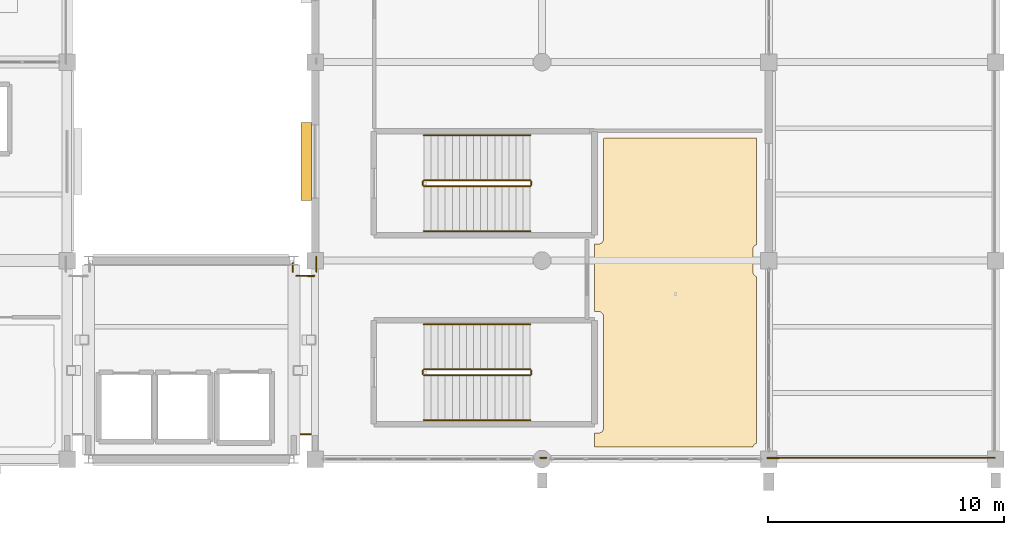
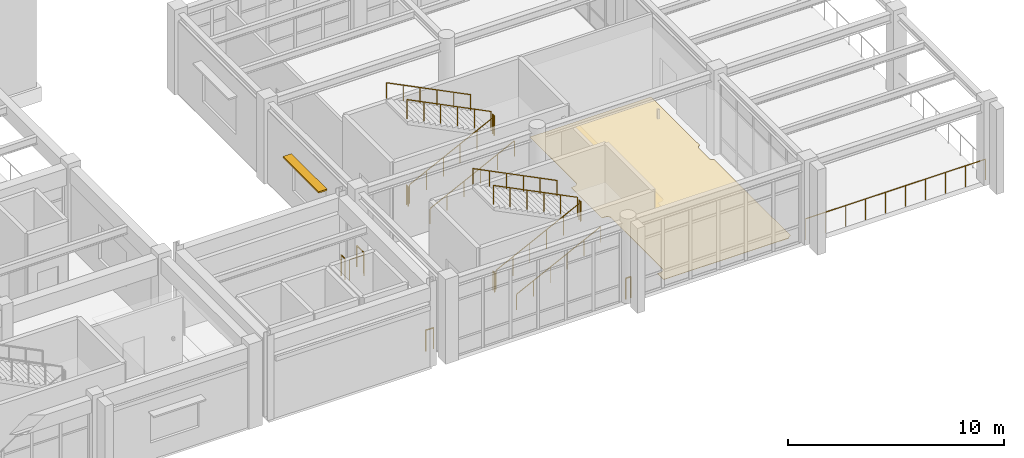
# One storey, part 96 of 98: 18 railings, 1 covering, 1 shading device.
"""IFC4 building model written with IfcOpenShell, lengths in metres."""

from ifc_helpers import new_model, si_unit, direction, frame, origin, origin_2d, place, context, subcontext, project, spatial, polyline, rectangle, circle, outline, extrude, material, layer, layer_set, type_object, element, save


model = new_model("IFC4")

# Units and contexts
model_context = context("Model", 3, precision=1e-05, world=origin(), true_north=direction((0.0, 1.0)))
body_context = subcontext(model_context, "Body", "Model", "MODEL_VIEW")
ifc_project = project(units=[si_unit("LENGTHUNIT", "METRE"), si_unit("AREAUNIT", "SQUARE_METRE"), si_unit("VOLUMEUNIT", "CUBIC_METRE"), si_unit("PLANEANGLEUNIT", "RADIAN"), si_unit("MASSUNIT", "GRAM", prefix="KILO")], contexts=[model_context])

# Site, building, storey
site_placement = place(None, origin())
site = spatial("IfcSite", under=ifc_project, at=site_placement, CompositionType="ELEMENT")
building_placement = place(site_placement, origin())
building = spatial("IfcBuilding", under=site, at=building_placement, Name="Canglan Escarpment Cableway Terminal", CompositionType="ELEMENT")
storey_placement = place(building_placement, frame((0.0, 0.0, 9.60009765625)))
storey = spatial("IfcBuildingStorey", under=building, at=storey_placement, Name="L02", CompositionType="ELEMENT", Elevation=9.60009765625)

# Covering
ifc_material_1 = material(Name="Polished mineral terrazzo flooring", Category="concrete")
ifc_layer_1 = layer(ifc_material_1, 0.02001953125, Name="Polished mineral terrazzo flooring")
ifc_layer_set_1 = layer_set([ifc_layer_1], Name="Polished mineral terrazzo flooring")
covering_type = type_object("IfcCoveringType", Name="COV-FLR-TERRAZZO-20", PredefinedType="FLOORING", material=ifc_layer_set_1)
covering_placement = place(storey_placement, origin())
element("IfcCovering", 1, at=covering_placement, inside=storey, type_object=covering_type, Name="Artisan Pastry Kitchen stone floor finish", PredefinedType="FLOORING", context=body_context, shape_type="SweptSolid", body=[
    extrude(outline(polyline([(165.73291015625, 8.533203125), (165.732177734375, 8.531494140625), (165.731201171875, 8.529541015625), (165.72998046875, 8.52783203125), (165.728515625, 8.5263671875), (165.72705078125, 8.52490234375), (165.7255859375, 8.523681640625), (165.723876953125, 8.522705078125), (165.721923828125, 8.521728515625), (165.719970703125, 8.52099609375), (165.718017578125, 8.5205078125), (165.716064453125, 8.52001953125), (165.714111328125, 8.52001953125), (159.0400390625, 8.52001953125), (159.0380859375, 8.52001953125), (159.0361328125, 8.5205078125), (159.0341796875, 8.52099609375), (159.0322265625, 8.521484375), (159.030517578125, 8.5224609375), (159.02880859375, 8.5234375), (159.02734375, 8.5244140625), (159.02587890625, 8.52587890625), (159.0244140625, 8.52734375), (159.0234375, 8.52880859375), (159.0224609375, 8.530517578125), (159.021484375, 8.5322265625), (159.02099609375, 8.5341796875), (159.0205078125, 8.5361328125), (159.02001953125, 8.5380859375), (159.02001953125, 8.5400390625), (159.02001953125, 9.080078125), (159.02001953125, 9.08203125), (159.0205078125, 9.083984375), (159.02099609375, 9.085693359375), (159.021484375, 9.087646484375), (159.0224609375, 9.08935546875), (159.0234375, 9.091064453125), (159.0244140625, 9.0927734375), (159.02587890625, 9.093994140625), (159.02734375, 9.095458984375), (159.02880859375, 9.0966796875), (159.030517578125, 9.09765625), (159.0322265625, 9.098388671875), (159.0341796875, 9.09912109375), (159.0361328125, 9.099609375), (159.0380859375, 9.099853515625), (159.0400390625, 9.10009765625), (159.1796875, 9.10009765625), (159.18017578125, 9.10009765625), (159.201171875, 9.10107421875), (159.201904296875, 9.10107421875), (159.222412109375, 9.104248046875), (159.223388671875, 9.104248046875), (159.243408203125, 9.109375), (159.244384765625, 9.109619140625), (159.263671875, 9.11669921875), (159.2646484375, 9.116943359375), (159.283203125, 9.125732421875), (159.2841796875, 9.126220703125), (159.3017578125, 9.13671875), (159.302490234375, 9.137451171875), (159.319091796875, 9.149658203125), (159.31982421875, 9.150390625), (159.335205078125, 9.1640625), (159.3359375, 9.164794921875), (159.349609375, 9.18017578125), (159.350341796875, 9.180908203125), (159.362548828125, 9.197509765625), (159.36328125, 9.1982421875), (159.373779296875, 9.2158203125), (159.374267578125, 9.216796875), (159.383056640625, 9.2353515625), (159.38330078125, 9.236328125), (159.390380859375, 9.255615234375), (159.390625, 9.256591796875), (159.395751953125, 9.276611328125), (159.395751953125, 9.277587890625), (159.39892578125, 9.298095703125), (159.39892578125, 9.298828125), (159.39990234375, 9.31982421875), (159.39990234375, 9.3203125), (159.39990234375, 14.02978515625), (159.39990234375, 14.0302734375), (159.39892578125, 14.051025390625), (159.39892578125, 14.052001953125), (159.395751953125, 14.072509765625), (159.395751953125, 14.073486328125), (159.390625, 14.093505859375), (159.390380859375, 14.09423828125), (159.38330078125, 14.11376953125), (159.383056640625, 14.114501953125), (159.374267578125, 14.13330078125), (159.373779296875, 14.134033203125), (159.36328125, 14.15185546875), (159.362548828125, 14.152587890625), (159.350341796875, 14.169189453125), (159.349609375, 14.169921875), (159.3359375, 14.185302734375), (159.335205078125, 14.185791015625), (159.31982421875, 14.19970703125), (159.319091796875, 14.200439453125), (159.302490234375, 14.212646484375), (159.3017578125, 14.213134765625), (159.2841796875, 14.223876953125), (159.283203125, 14.22412109375), (159.2646484375, 14.23291015625), (159.263671875, 14.2333984375), (159.244384765625, 14.240478515625), (159.243408203125, 14.240478515625), (159.223388671875, 14.24560546875), (159.222412109375, 14.245849609375), (159.201904296875, 14.248779296875), (159.201171875, 14.2490234375), (159.18017578125, 14.25), (159.1796875, 14.25), (159.0400390625, 14.25), (159.0380859375, 14.25), (159.0361328125, 14.25048828125), (159.0341796875, 14.2509765625), (159.0322265625, 14.25146484375), (159.030517578125, 14.25244140625), (159.02880859375, 14.25341796875), (159.02734375, 14.25439453125), (159.02587890625, 14.255859375), (159.0244140625, 14.25732421875), (159.0234375, 14.2587890625), (159.0224609375, 14.260498046875), (159.021484375, 14.26220703125), (159.02099609375, 14.26416015625), (159.0205078125, 14.26611328125), (159.02001953125, 14.26806640625), (159.02001953125, 14.27001953125), (159.02001953125, 17.080078125), (159.02001953125, 17.08203125), (159.0205078125, 17.083984375), (159.02099609375, 17.085693359375), (159.021484375, 17.087646484375), (159.0224609375, 17.08935546875), (159.0234375, 17.091064453125), (159.0244140625, 17.0927734375), (159.02587890625, 17.093994140625), (159.02734375, 17.095458984375), (159.02880859375, 17.0966796875), (159.030517578125, 17.09765625), (159.0322265625, 17.098388671875), (159.0341796875, 17.09912109375), (159.0361328125, 17.099609375), (159.0380859375, 17.099853515625), (159.0400390625, 17.10009765625), (159.1796875, 17.10009765625), (159.18017578125, 17.10009765625), (159.201171875, 17.10107421875), (159.201904296875, 17.10107421875), (159.222412109375, 17.104248046875), (159.223388671875, 17.104248046875), (159.243408203125, 17.109375), (159.244384765625, 17.109619140625), (159.263671875, 17.11669921875), (159.2646484375, 17.116943359375), (159.283203125, 17.125732421875), (159.2841796875, 17.126220703125), (159.3017578125, 17.13671875), (159.302490234375, 17.137451171875), (159.319091796875, 17.149658203125), (159.31982421875, 17.150390625), (159.335205078125, 17.1640625), (159.3359375, 17.164794921875), (159.349609375, 17.18017578125), (159.350341796875, 17.180908203125), (159.362548828125, 17.197509765625), (159.36328125, 17.1982421875), (159.373779296875, 17.2158203125), (159.374267578125, 17.216796875), (159.383056640625, 17.2353515625), (159.38330078125, 17.236328125), (159.390380859375, 17.255615234375), (159.390625, 17.256591796875), (159.395751953125, 17.276611328125), (159.395751953125, 17.277587890625), (159.39892578125, 17.298095703125), (159.39892578125, 17.298828125), (159.39990234375, 17.31982421875), (159.39990234375, 17.3203125), (159.39990234375, 21.56005859375), (159.400146484375, 21.56201171875), (159.400390625, 21.56396484375), (159.40087890625, 21.56591796875), (159.401611328125, 21.567626953125), (159.40234375, 21.5693359375), (159.4033203125, 21.571044921875), (159.404541015625, 21.57275390625), (159.406005859375, 21.57421875), (159.4072265625, 21.575439453125), (159.408935546875, 21.57666015625), (159.41064453125, 21.57763671875), (159.412353515625, 21.57861328125), (159.414306640625, 21.5791015625), (159.416015625, 21.57958984375), (159.41796875, 21.579833984375), (159.419921875, 21.580078125), (165.860107421875, 21.580078125), (165.862060546875, 21.579833984375), (165.864013671875, 21.57958984375), (165.86572265625, 21.5791015625), (165.86767578125, 21.57861328125), (165.869384765625, 21.57763671875), (165.87109375, 21.57666015625), (165.872802734375, 21.575439453125), (165.8740234375, 21.57421875), (165.87548828125, 21.57275390625), (165.876708984375, 21.571044921875), (165.877685546875, 21.5693359375), (165.87841796875, 21.567626953125), (165.879150390625, 21.56591796875), (165.879638671875, 21.56396484375), (165.8798828125, 21.56201171875), (165.8798828125, 21.56005859375), (165.8798828125, 17.0859375), (165.8798828125, 17.083984375), (165.879638671875, 17.082275390625), (165.879150390625, 17.080322265625), (165.878662109375, 17.07861328125), (165.877685546875, 17.076904296875), (165.876953125, 17.0751953125), (165.875732421875, 17.07373046875), (165.87451171875, 17.072265625), (165.873291015625, 17.071044921875), (165.87158203125, 17.06982421875), (165.8701171875, 17.06884765625), (165.868408203125, 17.06787109375), (165.86669921875, 17.067138671875), (165.856201171875, 17.0634765625), (165.85546875, 17.06298828125), (165.836669921875, 17.05419921875), (165.8359375, 17.0537109375), (165.818115234375, 17.043212890625), (165.8173828125, 17.04248046875), (165.80078125, 17.030517578125), (165.800048828125, 17.02978515625), (165.784912109375, 17.015869140625), (165.7841796875, 17.01513671875), (165.770263671875, 17.0), (165.76953125, 16.999267578125), (165.75732421875, 16.982666015625), (165.7568359375, 16.981689453125), (165.74609375, 16.964111328125), (165.745849609375, 16.96337890625), (165.737060546875, 16.944580078125), (165.736572265625, 16.943603515625), (165.7294921875, 16.92431640625), (165.7294921875, 16.92333984375), (165.724365234375, 16.9033203125), (165.72412109375, 16.90234375), (165.72119140625, 16.882080078125), (165.720947265625, 16.881103515625), (165.719970703125, 16.860107421875), (165.719970703125, 16.85986328125), (165.719970703125, 15.940185546875), (165.719970703125, 15.939697265625), (165.720947265625, 15.9189453125), (165.72119140625, 15.91796875), (165.72412109375, 15.897705078125), (165.724365234375, 15.896484375), (165.7294921875, 15.876708984375), (165.7294921875, 15.875732421875), (165.736572265625, 15.856201171875), (165.737060546875, 15.85546875), (165.745849609375, 15.836669921875), (165.74609375, 15.8359375), (165.7568359375, 15.818115234375), (165.75732421875, 15.8173828125), (165.76953125, 15.80078125), (165.770263671875, 15.800048828125), (165.7841796875, 15.784912109375), (165.784912109375, 15.7841796875), (165.800048828125, 15.770263671875), (165.80078125, 15.76953125), (165.8173828125, 15.75732421875), (165.818115234375, 15.7568359375), (165.8359375, 15.74609375), (165.836669921875, 15.745849609375), (165.85546875, 15.737060546875), (165.856201171875, 15.736572265625), (165.86669921875, 15.73291015625), (165.868408203125, 15.732177734375), (165.8701171875, 15.731201171875), (165.87158203125, 15.730224609375), (165.873291015625, 15.72900390625), (165.87451171875, 15.727783203125), (165.875732421875, 15.726318359375), (165.876953125, 15.724609375), (165.877685546875, 15.72314453125), (165.878662109375, 15.721435546875), (165.879150390625, 15.719482421875), (165.879638671875, 15.7177734375), (165.8798828125, 15.7158203125), (165.8798828125, 15.714111328125), (165.8798828125, 8.68603515625), (165.8798828125, 8.68408203125), (165.879638671875, 8.68212890625), (165.879150390625, 8.680419921875), (165.878662109375, 8.6787109375), (165.877685546875, 8.677001953125), (165.876953125, 8.67529296875), (165.875732421875, 8.673583984375), (165.87451171875, 8.67236328125), (165.873291015625, 8.6708984375), (165.87158203125, 8.669921875), (165.8701171875, 8.668701171875), (165.868408203125, 8.66796875), (165.86669921875, 8.667236328125), (165.856201171875, 8.663330078125), (165.85546875, 8.6630859375), (165.836669921875, 8.654296875), (165.8359375, 8.65380859375), (165.818115234375, 8.643310546875), (165.8173828125, 8.642578125), (165.80078125, 8.63037109375), (165.800048828125, 8.629638671875), (165.784912109375, 8.615966796875), (165.7841796875, 8.615234375), (165.770263671875, 8.599853515625), (165.76953125, 8.59912109375), (165.75732421875, 8.58251953125), (165.7568359375, 8.581787109375), (165.74609375, 8.564208984375), (165.745849609375, 8.563232421875), (165.737060546875, 8.544677734375), (165.736572265625, 8.543701171875), (165.73291015625, 8.533203125)])), origin(), (0.0, 0.0, 1.0), 0.02001953125),
])

# Railings
ifc_material_2 = material(Name="Carved limestone and anodized bronze balustrade", Category="masonry")
railing_type_1 = type_object("IfcRailingType", Name="RL-EXT-BALUSTRADE-1200", PredefinedType="BALUSTRADE", material=ifc_material_2)
railing_1_placement = place(storey_placement, frame((146.25, 16.2861328125, 0.0)))
element("IfcRailing", 2, at=railing_1_placement, inside=storey, type_object=railing_type_1, Name="Classical terrace balustrade guard GD-01 (L02)", PredefinedType="BALUSTRADE", context=body_context, shape_type="SweptSolid", body=[
    extrude(circle(Radius=0.02392578125, at=origin_2d()), frame((0.0, 0.0, 1.17578125), z_axis=(0.0, -1.0, 0.0), x_axis=(1.0, 0.0, 0.0)), (0.0, 0.0, 1.0), 0.356201171875),
    extrude(circle(Radius=0.02099609375, at=origin_2d()), origin(), (0.0, 0.0, 1.0), 1.15185546875),
    extrude(circle(Radius=0.02099609375, at=origin_2d()), frame((0.0, -0.356201171875, 0.0)), (0.0, 0.0, 1.0), 1.15185546875),
])
railing_2_placement = place(storey_placement, frame((146.3994140625, 15.756103515625, 0.0)))
element("IfcRailing", 3, at=railing_2_placement, inside=storey, type_object=railing_type_1, Name="Classical terrace balustrade guard GD-01 (L02)", PredefinedType="BALUSTRADE", context=body_context, shape_type="SweptSolid", body=[
    extrude(circle(Radius=0.02392578125, at=origin_2d()), frame((0.0, 0.0, 1.17578125), z_axis=(0.999968627033, -0.007921171, 0.0), x_axis=(0.007921171, 0.999968627033, 0.0)), (0.0, 0.0, 1.0), 0.7705078125),
    extrude(circle(Radius=0.02099609375, at=origin_2d()), origin(), (0.0, 0.0, 1.0), 1.15185546875),
    extrude(circle(Radius=0.02099609375, at=origin_2d()), frame((0.7705078125, -0.006103515625, 0.0)), (0.0, 0.0, 1.0), 1.15185546875),
])
railing_3_placement = place(storey_placement, frame((147.25, 15.929931640625, 0.0)))
element("IfcRailing", 4, at=railing_3_placement, inside=storey, type_object=railing_type_1, Name="Classical terrace balustrade guard GD-01 (L02)", PredefinedType="BALUSTRADE", context=body_context, shape_type="SweptSolid", body=[
    extrude(circle(Radius=0.02392578125, at=origin_2d()), frame((0.0, 0.0, 1.17578125), z_axis=(0.0, 1.0, 0.0), x_axis=(-1.0, 0.0, 0.0)), (0.0, 0.0, 1.0), 0.630126953125),
    extrude(circle(Radius=0.02099609375, at=origin_2d()), origin(), (0.0, 0.0, 1.0), 1.15185546875),
    extrude(circle(Radius=0.02099609375, at=origin_2d()), frame((0.0, 0.630126953125, 0.0)), (0.0, 0.0, 1.0), 1.15185546875),
])
railing_4_placement = place(storey_placement, frame((175.949951171875, 8.052001953125, 0.0)))
element("IfcRailing", 5, at=railing_4_placement, inside=storey, type_object=railing_type_1, Name="Classical terrace balustrade guard GD-01 (L02)", PredefinedType="BALUSTRADE", context=body_context, shape_type="SweptSolid", body=[
    extrude(circle(Radius=0.02392578125, at=origin_2d()), frame((0.0, 0.0, 1.17578125), z_axis=(-0.999999979346, -0.000203241701, 0.0), x_axis=(0.000203241701, -0.999999979346, 0.0)), (0.0, 0.0, 1.0), 9.60986328125),
    extrude(circle(Radius=0.02099609375, at=origin_2d()), origin(), (0.0, 0.0, 1.0), 1.15185546875),
    extrude(circle(Radius=0.02099609375, at=origin_2d()), frame((-1.06787109375, -0.000244140625, 0.0)), (0.0, 0.0, 1.0), 1.15185546875),
    extrude(circle(Radius=0.02099609375, at=origin_2d()), frame((-2.135498046875, -0.00048828125, 0.0)), (0.0, 0.0, 1.0), 1.15185546875),
    extrude(circle(Radius=0.02099609375, at=origin_2d()), frame((-3.203369140625, -0.000732421875, 0.0)), (0.0, 0.0, 1.0), 1.15185546875),
    extrude(circle(Radius=0.02099609375, at=origin_2d()), frame((-4.27099609375, -0.0009765625, 0.0)), (0.0, 0.0, 1.0), 1.15185546875),
    extrude(circle(Radius=0.02099609375, at=origin_2d()), frame((-5.3388671875, -0.0009765625, 0.0)), (0.0, 0.0, 1.0), 1.15185546875),
    extrude(circle(Radius=0.02099609375, at=origin_2d()), frame((-6.406494140625, -0.001220703125, 0.0)), (0.0, 0.0, 1.0), 1.15185546875),
    extrude(circle(Radius=0.02099609375, at=origin_2d()), frame((-7.474365234375, -0.00146484375, 0.0)), (0.0, 0.0, 1.0), 1.15185546875),
    extrude(circle(Radius=0.02099609375, at=origin_2d()), frame((-8.5419921875, -0.001708984375, 0.0)), (0.0, 0.0, 1.0), 1.15185546875),
    extrude(circle(Radius=0.02099609375, at=origin_2d()), frame((-9.60986328125, -0.001953125, 0.0)), (0.0, 0.0, 1.0), 1.15185546875),
])
railing_5_placement = place(storey_placement, frame((156.985107421875, 8.050048828125, 0.0)))
element("IfcRailing", 6, at=railing_5_placement, inside=storey, type_object=railing_type_1, Name="Classical terrace balustrade guard GD-01 (L02)", PredefinedType="BALUSTRADE", context=body_context, shape_type="SweptSolid", body=[
    extrude(circle(Radius=0.02392578125, at=origin_2d()), frame((0.0, 0.0, 1.17578125), z_axis=(-1.0, 0.0, 0.0), x_axis=(0.0, -1.0, 0.0)), (0.0, 0.0, 1.0), 0.27001953125),
    extrude(circle(Radius=0.02099609375, at=origin_2d()), origin(), (0.0, 0.0, 1.0), 1.15185546875),
    extrude(circle(Radius=0.02099609375, at=origin_2d()), frame((-0.27001953125, 0.0, 0.0)), (0.0, 0.0, 1.0), 1.15185546875),
])
railing_6_placement = place(storey_placement, frame((147.010009765625, 9.050048828125, 0.0)))
element("IfcRailing", 7, at=railing_6_placement, inside=storey, type_object=railing_type_1, Name="Classical terrace balustrade guard GD-01 (L02)", PredefinedType="BALUSTRADE", context=body_context, shape_type="SweptSolid", body=[
    extrude(circle(Radius=0.02392578125, at=origin_2d()), frame((0.0, 0.0, 1.17578125), z_axis=(-1.0, 0.0, 0.0), x_axis=(0.0, -1.0, 0.0)), (0.0, 0.0, 1.0), 0.419921875),
    extrude(circle(Radius=0.02099609375, at=origin_2d()), origin(), (0.0, 0.0, 1.0), 1.15185546875),
    extrude(circle(Radius=0.02099609375, at=origin_2d()), frame((-0.419921875, 0.0, 0.0)), (0.0, 0.0, 1.0), 1.15185546875),
])
ifc_material_3 = material(Name="Powder-coated steel stair balustrade", Category="steel")
railing_type_2 = type_object("IfcRailingType", Name="RL-STR-GUARD-1100", PredefinedType="BALUSTRADE", material=ifc_material_3)
railing_7_placement = place(storey_placement, frame((151.800048828125, 11.550048828125, 0.14990234375)))
element("IfcRailing", 8, at=railing_7_placement, inside=storey, type_object=railing_type_2, Name="L02 ST-08 stair guard 1", PredefinedType="BALUSTRADE", context=body_context, shape_type="SweptSolid", body=[
    extrude(circle(Radius=0.02392578125, at=origin_2d()), frame((0.0, 0.0, 1.076171875), z_axis=(0.894427191, 0.0, 0.4472135955), x_axis=(0.0, 1.0, 0.0)), (0.0, 0.0, 1.0), 5.03125),
    extrude(circle(Radius=0.02099609375, at=origin_2d()), origin(), (0.0, 0.0, 1.0), 1.052001953125),
    extrude(circle(Radius=0.02099609375, at=origin_2d()), frame((0.89990234375, 0.0, 0.449951171875)), (0.0, 0.0, 1.0), 1.052001953125),
    extrude(circle(Radius=0.02099609375, at=origin_2d()), frame((1.800048828125, 0.0, 0.89990234375)), (0.0, 0.0, 1.0), 1.052001953125),
    extrude(circle(Radius=0.02099609375, at=origin_2d()), frame((2.699951171875, 0.0, 1.35009765625)), (0.0, 0.0, 1.0), 1.052001953125),
    extrude(circle(Radius=0.02099609375, at=origin_2d()), frame((3.60009765625, 0.0, 1.800048828125)), (0.0, 0.0, 1.0), 1.052001953125),
    extrude(circle(Radius=0.02099609375, at=origin_2d()), frame((4.5, 0.0, 2.25)), (0.0, 0.0, 1.0), 1.052001953125),
])
railing_8_placement = place(storey_placement, frame((156.35009765625, 11.60009765625, 2.39990234375)))
element("IfcRailing", 9, at=railing_8_placement, inside=storey, type_object=railing_type_2, Name="L02 ST-08 stair guard 2", PredefinedType="BALUSTRADE", context=body_context, shape_type="SweptSolid", body=[
    extrude(circle(Radius=0.02392578125, at=origin_2d()), frame((0.0, 0.0, 1.076171875), z_axis=(0.0, 1.0, 0.0), x_axis=(-1.0, 0.0, 0.0)), (0.0, 0.0, 1.0), 0.14990234375),
    extrude(circle(Radius=0.02099609375, at=origin_2d()), origin(), (0.0, 0.0, 1.0), 1.052001953125),
    extrude(circle(Radius=0.02099609375, at=origin_2d()), frame((0.0, 0.14990234375, 0.0)), (0.0, 0.0, 1.0), 1.052001953125),
])
railing_9_placement = place(storey_placement, frame((156.300048828125, 11.800048828125, 2.5498046875)))
element("IfcRailing", 10, at=railing_9_placement, inside=storey, type_object=railing_type_2, Name="L02 ST-08 stair guard 3", PredefinedType="BALUSTRADE", context=body_context, shape_type="SweptSolid", body=[
    extrude(circle(Radius=0.02392578125, at=origin_2d()), frame((0.0, 0.0, 1.076171875), z_axis=(-0.894427191, 0.0, 0.4472135955), x_axis=(0.0, -1.0, 0.0)), (0.0, 0.0, 1.0), 5.03125),
    extrude(circle(Radius=0.02099609375, at=origin_2d()), origin(), (0.0, 0.0, 1.0), 1.052001953125),
    extrude(circle(Radius=0.02099609375, at=origin_2d()), frame((-0.89990234375, 0.0, 0.449951171875)), (0.0, 0.0, 1.0), 1.052001953125),
    extrude(circle(Radius=0.02099609375, at=origin_2d()), frame((-1.800048828125, 0.0, 0.89990234375)), (0.0, 0.0, 1.0), 1.052001953125),
    extrude(circle(Radius=0.02099609375, at=origin_2d()), frame((-2.699951171875, 0.0, 1.35009765625)), (0.0, 0.0, 1.0), 1.052001953125),
    extrude(circle(Radius=0.02099609375, at=origin_2d()), frame((-3.60009765625, 0.0, 1.800048828125)), (0.0, 0.0, 1.0), 1.052001953125),
    extrude(circle(Radius=0.02099609375, at=origin_2d()), frame((-4.5, 0.0, 2.25)), (0.0, 0.0, 1.0), 1.052001953125),
])
railing_10_placement = place(storey_placement, frame((151.75, 11.60009765625, 0.0)))
element("IfcRailing", 11, at=railing_10_placement, inside=storey, type_object=railing_type_2, Name="L02 ST-08 stair guard 4", PredefinedType="BALUSTRADE", context=body_context, shape_type="SweptSolid", body=[
    extrude(circle(Radius=0.02392578125, at=origin_2d()), frame((0.0, 0.0, 1.076171875), z_axis=(0.0, 1.0, 0.0), x_axis=(-1.0, 0.0, 0.0)), (0.0, 0.0, 1.0), 0.14990234375),
    extrude(circle(Radius=0.02099609375, at=origin_2d()), origin(), (0.0, 0.0, 1.0), 1.052001953125),
    extrude(circle(Radius=0.02099609375, at=origin_2d()), frame((0.0, 0.14990234375, 0.0)), (0.0, 0.0, 1.0), 1.052001953125),
])
railing_11_placement = place(storey_placement, frame((151.800048828125, 19.550048828125, 0.14990234375)))
element("IfcRailing", 12, at=railing_11_placement, inside=storey, type_object=railing_type_2, Name="L02 ST-09 stair guard 1", PredefinedType="BALUSTRADE", context=body_context, shape_type="SweptSolid", body=[
    extrude(circle(Radius=0.02392578125, at=origin_2d()), frame((0.0, 0.0, 1.076171875), z_axis=(0.894427191, 0.0, 0.4472135955), x_axis=(0.0, 1.0, 0.0)), (0.0, 0.0, 1.0), 5.03125),
    extrude(circle(Radius=0.02099609375, at=origin_2d()), origin(), (0.0, 0.0, 1.0), 1.052001953125),
    extrude(circle(Radius=0.02099609375, at=origin_2d()), frame((0.89990234375, 0.0, 0.449951171875)), (0.0, 0.0, 1.0), 1.052001953125),
    extrude(circle(Radius=0.02099609375, at=origin_2d()), frame((1.800048828125, 0.0, 0.89990234375)), (0.0, 0.0, 1.0), 1.052001953125),
    extrude(circle(Radius=0.02099609375, at=origin_2d()), frame((2.699951171875, 0.0, 1.35009765625)), (0.0, 0.0, 1.0), 1.052001953125),
    extrude(circle(Radius=0.02099609375, at=origin_2d()), frame((3.60009765625, 0.0, 1.800048828125)), (0.0, 0.0, 1.0), 1.052001953125),
    extrude(circle(Radius=0.02099609375, at=origin_2d()), frame((4.5, 0.0, 2.25)), (0.0, 0.0, 1.0), 1.052001953125),
])
railing_12_placement = place(storey_placement, frame((156.35009765625, 19.60009765625, 2.39990234375)))
element("IfcRailing", 13, at=railing_12_placement, inside=storey, type_object=railing_type_2, Name="L02 ST-09 stair guard 2", PredefinedType="BALUSTRADE", context=body_context, shape_type="SweptSolid", body=[
    extrude(circle(Radius=0.02392578125, at=origin_2d()), frame((0.0, 0.0, 1.076171875), z_axis=(0.0, 1.0, 0.0), x_axis=(-1.0, 0.0, 0.0)), (0.0, 0.0, 1.0), 0.14990234375),
    extrude(circle(Radius=0.02099609375, at=origin_2d()), origin(), (0.0, 0.0, 1.0), 1.052001953125),
    extrude(circle(Radius=0.02099609375, at=origin_2d()), frame((0.0, 0.14990234375, 0.0)), (0.0, 0.0, 1.0), 1.052001953125),
])
railing_13_placement = place(storey_placement, frame((156.300048828125, 19.800048828125, 2.5498046875)))
element("IfcRailing", 14, at=railing_13_placement, inside=storey, type_object=railing_type_2, Name="L02 ST-09 stair guard 3", PredefinedType="BALUSTRADE", context=body_context, shape_type="SweptSolid", body=[
    extrude(circle(Radius=0.02392578125, at=origin_2d()), frame((0.0, 0.0, 1.076171875), z_axis=(-0.894427191, 0.0, 0.4472135955), x_axis=(0.0, -1.0, 0.0)), (0.0, 0.0, 1.0), 5.03125),
    extrude(circle(Radius=0.02099609375, at=origin_2d()), origin(), (0.0, 0.0, 1.0), 1.052001953125),
    extrude(circle(Radius=0.02099609375, at=origin_2d()), frame((-0.89990234375, 0.0, 0.449951171875)), (0.0, 0.0, 1.0), 1.052001953125),
    extrude(circle(Radius=0.02099609375, at=origin_2d()), frame((-1.800048828125, 0.0, 0.89990234375)), (0.0, 0.0, 1.0), 1.052001953125),
    extrude(circle(Radius=0.02099609375, at=origin_2d()), frame((-2.699951171875, 0.0, 1.35009765625)), (0.0, 0.0, 1.0), 1.052001953125),
    extrude(circle(Radius=0.02099609375, at=origin_2d()), frame((-3.60009765625, 0.0, 1.800048828125)), (0.0, 0.0, 1.0), 1.052001953125),
    extrude(circle(Radius=0.02099609375, at=origin_2d()), frame((-4.5, 0.0, 2.25)), (0.0, 0.0, 1.0), 1.052001953125),
])
railing_14_placement = place(storey_placement, frame((151.75, 19.60009765625, 0.0)))
element("IfcRailing", 15, at=railing_14_placement, inside=storey, type_object=railing_type_2, Name="L02 ST-09 stair guard 4", PredefinedType="BALUSTRADE", context=body_context, shape_type="SweptSolid", body=[
    extrude(circle(Radius=0.02392578125, at=origin_2d()), frame((0.0, 0.0, 1.076171875), z_axis=(0.0, 1.0, 0.0), x_axis=(-1.0, 0.0, 0.0)), (0.0, 0.0, 1.0), 0.14990234375),
    extrude(circle(Radius=0.02099609375, at=origin_2d()), origin(), (0.0, 0.0, 1.0), 1.052001953125),
    extrude(circle(Radius=0.02099609375, at=origin_2d()), frame((0.0, 0.14990234375, 0.0)), (0.0, 0.0, 1.0), 1.052001953125),
])
ifc_material_4 = material(Name="Brushed stainless steel 304 handrail", Category="steel")
railing_type_3 = type_object("IfcRailingType", Name="RL-STR-HR-900", PredefinedType="HANDRAIL", material=ifc_material_4)
railing_15_placement = place(storey_placement, frame((151.800048828125, 9.64990234375, 0.14990234375)))
element("IfcRailing", 16, at=railing_15_placement, inside=storey, type_object=railing_type_3, Name="L02 ST-08 stair handrail 1", PredefinedType="HANDRAIL", context=body_context, shape_type="SweptSolid", body=[
    extrude(circle(Radius=0.02392578125, at=origin_2d()), frame((0.0, 0.0, 0.8759765625), z_axis=(0.894427191, 0.0, 0.4472135955), x_axis=(0.0, 1.0, 0.0)), (0.0, 0.0, 1.0), 5.03125),
    extrude(circle(Radius=0.02099609375, at=origin_2d()), origin(), (0.0, 0.0, 1.0), 0.851806640625),
    extrude(circle(Radius=0.02099609375, at=origin_2d()), frame((0.89990234375, 0.0, 0.449951171875)), (0.0, 0.0, 1.0), 0.851806640625),
    extrude(circle(Radius=0.02099609375, at=origin_2d()), frame((1.800048828125, 0.0, 0.89990234375)), (0.0, 0.0, 1.0), 0.851806640625),
    extrude(circle(Radius=0.02099609375, at=origin_2d()), frame((2.699951171875, 0.0, 1.35009765625)), (0.0, 0.0, 1.0), 0.851806640625),
    extrude(circle(Radius=0.02099609375, at=origin_2d()), frame((3.60009765625, 0.0, 1.800048828125)), (0.0, 0.0, 1.0), 0.851806640625),
    extrude(circle(Radius=0.02099609375, at=origin_2d()), frame((4.5, 0.0, 2.25)), (0.0, 0.0, 1.0), 0.851806640625),
])
railing_16_placement = place(storey_placement, frame((156.300048828125, 13.699951171875, 2.5498046875)))
element("IfcRailing", 17, at=railing_16_placement, inside=storey, type_object=railing_type_3, Name="L02 ST-08 stair handrail 2", PredefinedType="HANDRAIL", context=body_context, shape_type="SweptSolid", body=[
    extrude(circle(Radius=0.02392578125, at=origin_2d()), frame((0.0, 0.0, 0.8759765625), z_axis=(-0.894427191, 0.0, 0.4472135955), x_axis=(0.0, -1.0, 0.0)), (0.0, 0.0, 1.0), 5.03125),
    extrude(circle(Radius=0.02099609375, at=origin_2d()), origin(), (0.0, 0.0, 1.0), 0.851806640625),
    extrude(circle(Radius=0.02099609375, at=origin_2d()), frame((-0.89990234375, 0.0, 0.449951171875)), (0.0, 0.0, 1.0), 0.851806640625),
    extrude(circle(Radius=0.02099609375, at=origin_2d()), frame((-1.800048828125, 0.0, 0.89990234375)), (0.0, 0.0, 1.0), 0.851806640625),
    extrude(circle(Radius=0.02099609375, at=origin_2d()), frame((-2.699951171875, 0.0, 1.35009765625)), (0.0, 0.0, 1.0), 0.851806640625),
    extrude(circle(Radius=0.02099609375, at=origin_2d()), frame((-3.60009765625, 0.0, 1.800048828125)), (0.0, 0.0, 1.0), 0.851806640625),
    extrude(circle(Radius=0.02099609375, at=origin_2d()), frame((-4.5, 0.0, 2.25)), (0.0, 0.0, 1.0), 0.851806640625),
])
railing_17_placement = place(storey_placement, frame((151.800048828125, 17.64990234375, 0.14990234375)))
element("IfcRailing", 18, at=railing_17_placement, inside=storey, type_object=railing_type_3, Name="L02 ST-09 stair handrail 1", PredefinedType="HANDRAIL", context=body_context, shape_type="SweptSolid", body=[
    extrude(circle(Radius=0.02392578125, at=origin_2d()), frame((0.0, 0.0, 0.8759765625), z_axis=(0.894427191, 0.0, 0.4472135955), x_axis=(0.0, 1.0, 0.0)), (0.0, 0.0, 1.0), 5.03125),
    extrude(circle(Radius=0.02099609375, at=origin_2d()), origin(), (0.0, 0.0, 1.0), 0.851806640625),
    extrude(circle(Radius=0.02099609375, at=origin_2d()), frame((0.89990234375, 0.0, 0.449951171875)), (0.0, 0.0, 1.0), 0.851806640625),
    extrude(circle(Radius=0.02099609375, at=origin_2d()), frame((1.800048828125, 0.0, 0.89990234375)), (0.0, 0.0, 1.0), 0.851806640625),
    extrude(circle(Radius=0.02099609375, at=origin_2d()), frame((2.699951171875, 0.0, 1.35009765625)), (0.0, 0.0, 1.0), 0.851806640625),
    extrude(circle(Radius=0.02099609375, at=origin_2d()), frame((3.60009765625, 0.0, 1.800048828125)), (0.0, 0.0, 1.0), 0.851806640625),
    extrude(circle(Radius=0.02099609375, at=origin_2d()), frame((4.5, 0.0, 2.25)), (0.0, 0.0, 1.0), 0.851806640625),
])
railing_18_placement = place(storey_placement, frame((156.300048828125, 21.699951171875, 2.5498046875)))
element("IfcRailing", 19, at=railing_18_placement, inside=storey, type_object=railing_type_3, Name="L02 ST-09 stair handrail 2", PredefinedType="HANDRAIL", context=body_context, shape_type="SweptSolid", body=[
    extrude(circle(Radius=0.02392578125, at=origin_2d()), frame((0.0, 0.0, 0.8759765625), z_axis=(-0.894427191, 0.0, 0.4472135955), x_axis=(0.0, -1.0, 0.0)), (0.0, 0.0, 1.0), 5.03125),
    extrude(circle(Radius=0.02099609375, at=origin_2d()), origin(), (0.0, 0.0, 1.0), 0.851806640625),
    extrude(circle(Radius=0.02099609375, at=origin_2d()), frame((-0.89990234375, 0.0, 0.449951171875)), (0.0, 0.0, 1.0), 0.851806640625),
    extrude(circle(Radius=0.02099609375, at=origin_2d()), frame((-1.800048828125, 0.0, 0.89990234375)), (0.0, 0.0, 1.0), 0.851806640625),
    extrude(circle(Radius=0.02099609375, at=origin_2d()), frame((-2.699951171875, 0.0, 1.35009765625)), (0.0, 0.0, 1.0), 0.851806640625),
    extrude(circle(Radius=0.02099609375, at=origin_2d()), frame((-3.60009765625, 0.0, 1.800048828125)), (0.0, 0.0, 1.0), 0.851806640625),
    extrude(circle(Radius=0.02099609375, at=origin_2d()), frame((-4.5, 0.0, 2.25)), (0.0, 0.0, 1.0), 0.851806640625),
])

# Shading device
ifc_material_5 = material(Name="Anodized architectural bronze aluminium", Category="aluminium")
ifc_layer_2 = layer(ifc_material_5, 0.080078125, Name="Anodized architectural bronze aluminium")
ifc_layer_set_2 = layer_set([ifc_layer_2], Name="Anodized architectural bronze aluminium")
shading_device_type = type_object("IfcShadingDeviceType", Name="SHD-BRONZE-LOUVRE-01", PredefinedType="JALOUSIE", material=ifc_layer_set_2)
shading_device_placement = place(storey_placement, frame((146.81494140625, 20.60009765625, 2.919921875), z_axis=(0.0, 0.0, 1.0), x_axis=(0.0, -1.0, 0.0)))
element("IfcShadingDevice", 20, at=shading_device_placement, inside=storey, type_object=shading_device_type, Name="Anodized bronze sun-shading brise-soleil SD-01", PredefinedType="JALOUSIE", context=body_context, shape_type="SweptSolid", body=[
    extrude(rectangle(XDim=3.300048828125, YDim=0.449951171875, at=origin_2d()), origin(), (0.0, 0.0, 1.0), 0.080078125),
])

save(model, "model.ifc")
